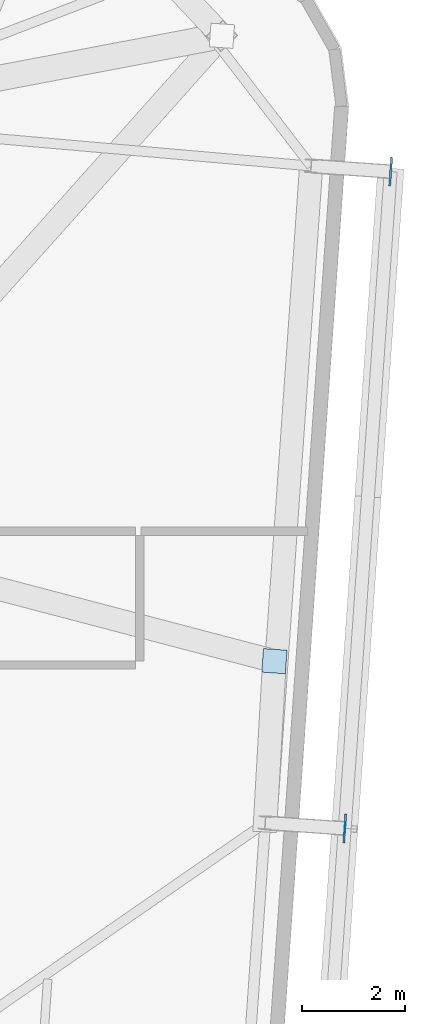
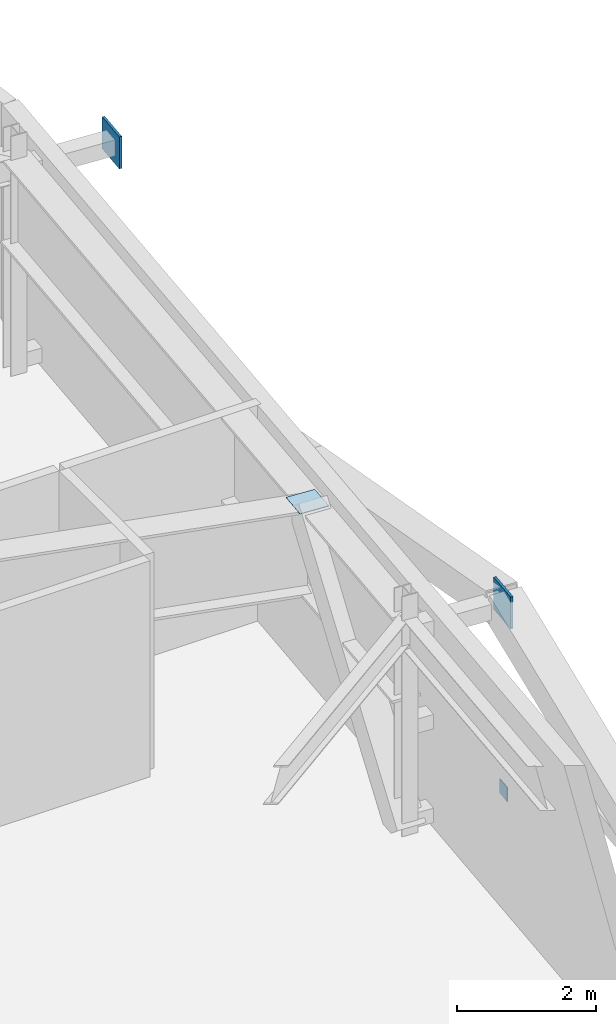
# One storey, part 17 of 24: 4 plates.
"""IFC4 building model written with IfcOpenShell, lengths in metres."""

from ifc_helpers import new_model, si_unit, direction, frame, origin, origin_2d, place, context, subcontext, project, spatial, rectangle, extrude, source, transform, mapped, material, layer, layer_set, type_object, element, save


model = new_model("IFC4")

# Units and contexts
model_context = context("Model", 3, precision=1e-05, world=origin(), true_north=direction((0.0, 1.0)))
body_context = subcontext(model_context, "Body", "Model", "MODEL_VIEW")
ifc_project = project(units=[si_unit("LENGTHUNIT", "METRE"), si_unit("AREAUNIT", "SQUARE_METRE"), si_unit("VOLUMEUNIT", "CUBIC_METRE"), si_unit("PLANEANGLEUNIT", "RADIAN"), si_unit("MASSUNIT", "GRAM", prefix="KILO")], contexts=[model_context])

# Site, building, storey
site_placement = place(None, origin())
site = spatial("IfcSite", under=ifc_project, at=site_placement, CompositionType="ELEMENT")
building_placement = place(site_placement, origin())
building = spatial("IfcBuilding", under=site, at=building_placement, Name="Taldren Reach Tower", CompositionType="ELEMENT")
storey_placement = place(building_placement, frame((0.0, 0.0, 164.5)))
storey = spatial("IfcBuildingStorey", under=building, at=storey_placement, Name="L50", CompositionType="ELEMENT", Elevation=164.5)

# Plates
ifc_material_1 = material(Name="Steel Gr 450 (C450L0)", Category="steel")
ifc_layer_1 = layer(ifc_material_1, 0.0400390625)
ifc_layer_set_1 = layer_set([ifc_layer_1], Name="Steel Gr 450 (C450L0)")
plate_type_1 = type_object("IfcPlateType", Name="PL-GUSSET-40", PredefinedType="SHEET", material=ifc_layer_set_1)
shared_shape_1 = source(origin(), body_context, "Body", "SweptSolid", [
    extrude(rectangle(XDim=0.56005859375, YDim=0.0400390625, at=origin_2d()), origin(), (0.0, 0.0, 1.0), 0.56005859375),
])
for number, where, z_axis, x_axis, name in (
    (1, (61.984375, 18.2236328125, 3.219970703125), (0.0, 0.0, 1.0), (0.069756473744, 0.99756405026, 0.0), "Exoskeleton star-node gusset plate B3-E2 L50"),
    (2, (62.87744140625, 30.992431640625, 3.219970703125), (0.0, 0.0, 1.0), (0.069756473744, 0.99756405026, 0.0), "Exoskeleton star-node gusset plate B3-E3 L50"),
):
    element("IfcPlate", number, at=place(storey_placement, frame(where, z_axis=z_axis, x_axis=x_axis)), inside=storey, type_object=plate_type_1, Name=name, PredefinedType="SHEET", context=body_context, shape_type="MappedRepresentation", body=[
        mapped(shared_shape_1, transform((0.0, 0.0, 0.0), scale=1.0)),
    ])
ifc_material_2 = material(Name="Steel Gr 350 (C350L0)", Category="steel")
ifc_layer_2 = layer(ifc_material_2, 0.011962890625)
ifc_layer_set_2 = layer_set([ifc_layer_2], Name="Steel Gr 350 (C350L0)")
plate_type_2 = type_object("IfcPlateType", Name="PL-CAP-250", PredefinedType="SHEET", material=ifc_layer_set_2)
shared_shape_2 = source(origin(), body_context, "Body", "SweptSolid", [
    extrude(rectangle(XDim=0.011962890625, YDim=0.25, at=origin_2d()), origin(), (0.0, 0.0, 1.0), 0.25),
])
plate_1_placement = place(storey_placement, frame((61.990478515625, 18.22314453125, 0.094970703125), z_axis=(0.0, 0.0, 1.0), x_axis=(0.99756405026, -0.069756473744, 0.0)))
element("IfcPlate", 3, at=plate_1_placement, inside=storey, type_object=plate_type_2, Name="Tie strut end cap plate B3-E2 L50", PredefinedType="SHEET", context=body_context, shape_type="MappedRepresentation", body=[
    mapped(shared_shape_2, transform((0.0, 0.0, 0.0), scale=1.0)),
])
ifc_layer_3 = layer(ifc_material_1, 0.011962890625)
ifc_layer_set_3 = layer_set([ifc_layer_3], Name="Steel Gr 450 (C450L0)")
plate_type_3 = type_object("IfcPlateType", Name="PL-CAP-460", PredefinedType="SHEET", material=ifc_layer_set_3)
shared_shape_3 = source(origin(), body_context, "Body", "SweptSolid", [
    extrude(rectangle(XDim=0.4599609375, YDim=0.4599609375, at=origin_2d()), origin(), (0.0, 0.0, 1.0), 0.011962890625),
])
plate_2_placement = place(storey_placement, frame((60.6171875, 21.474853515625, 3.76806640625), z_axis=(0.0, 0.0, 1.0), x_axis=(0.99756405026, -0.069756473744, 0.0)))
element("IfcPlate", 4, at=plate_2_placement, inside=storey, type_object=plate_type_3, Name="Transfer strut end cap plate TS-B4-E2 L50", PredefinedType="SHEET", context=body_context, shape_type="MappedRepresentation", body=[
    mapped(shared_shape_3, transform((0.0, 0.0, 0.0), scale=1.0)),
])

save(model, "model.ifc")
